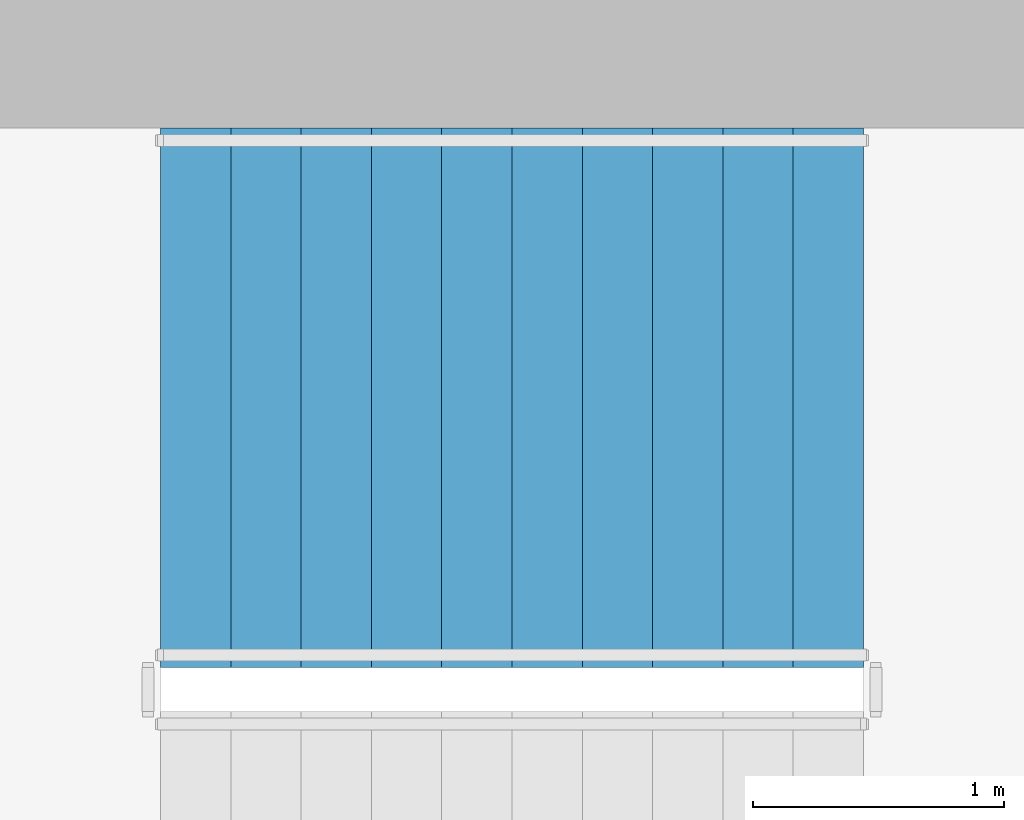
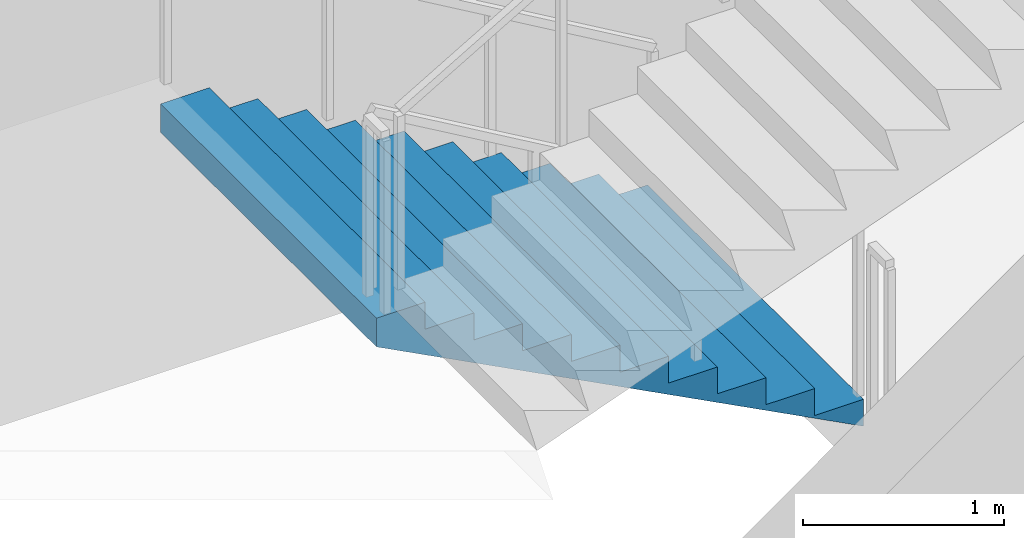
# One storey, part 11 of 19: 1 stair flight, 1 element without a shape of its own.
"""IFC4 building model written with IfcOpenShell, lengths in metres."""

from ifc_helpers import new_model, si_unit, direction, frame, origin, place, context, subcontext, project, spatial, triangles, material, type_object, element, aggregate, save


model = new_model("IFC4")

# Units and contexts
model_context = context("Model", 3, precision=1e-05, world=origin(), true_north=direction((0.0, 1.0)))
body_context = subcontext(model_context, "Body", "Model", "MODEL_VIEW")
ifc_project = project(units=[si_unit("LENGTHUNIT", "METRE"), si_unit("AREAUNIT", "SQUARE_METRE"), si_unit("VOLUMEUNIT", "CUBIC_METRE"), si_unit("PLANEANGLEUNIT", "RADIAN"), si_unit("MASSUNIT", "GRAM", prefix="KILO")], contexts=[model_context])

# Site, building, storey
site_placement = place(None, origin())
site = spatial("IfcSite", under=ifc_project, at=site_placement, CompositionType="ELEMENT")
building_placement = place(site_placement, origin())
building = spatial("IfcBuilding", under=site, at=building_placement, Name="Cypress Arch Tower", CompositionType="ELEMENT")
storey_placement = place(building_placement, frame((0.0, 0.0, 105.89990234375)))
storey = spatial("IfcBuildingStorey", under=building, at=storey_placement, Name="L21", CompositionType="ELEMENT", Elevation=105.89990234375)

# Stair, stair flight
ifc_material_1 = material(Name="Concrete C40/50", Category="concrete")
stair_type = type_object("IfcStairType", Name="Exit stair ES1636-215", PredefinedType="HALF_TURN_STAIR", material=ifc_material_1)
stair_placement = place(storey_placement, origin())
stair = element("IfcStair", 1, at=stair_placement, inside=storey, type_object=stair_type, Name="L21 Exit stair B", PredefinedType="HALF_TURN_STAIR")
ifc_material_2 = material(Name="Concrete C40/50", Category="concrete")
stair_flight_type = type_object("IfcStairFlightType", Name="Exit stair flight ES1636-215", PredefinedType="STRAIGHT", material=ifc_material_2)
stair_flight_placement = place(storey_placement, frame((-22.27490234375, 13.72509765625, 0.0), z_axis=(0.0, 0.0, 1.0), x_axis=(-1.0, 0.0, 0.0)))
stair_flight = element("IfcStairFlight", 2, at=stair_flight_placement, type_object=stair_flight_type, Name="B flight 1", NumberOfRisers=11, NumberOfTreads=10, PredefinedType="STRAIGHT", RiserHeight=0.163636364, TreadLength=0.28, context=body_context, shape_type="Tessellation", body=[
    triangles([(0.0, -1.074951171875, 0.0), (0.000244140625, -1.074951171875, 0.03271484375), (0.00048828125, -1.074951171875, 0.0654296875), (0.00048828125, -1.074951171875, 0.09814453125), (0.000244140625, -1.074951171875, 0.130859375), (0.0, -1.074951171875, 0.16357421875), (0.280029296875, -1.074951171875, 0.16357421875), (0.280029296875, -1.074951171875, 0.327392578125), (0.56005859375, -1.074951171875, 0.327392578125), (0.56005859375, -1.074951171875, 0.490966796875), (0.840087890625, -1.074951171875, 0.490966796875), (0.840087890625, -1.074951171875, 0.654541015625), (1.1201171875, -1.074951171875, 0.654541015625), (1.1201171875, -1.074951171875, 0.818115234375), (1.39990234375, -1.074951171875, 0.818115234375), (1.39990234375, -1.074951171875, 0.98193359375), (1.679931640625, -1.074951171875, 0.98193359375), (1.679931640625, -1.074951171875, 1.1455078125), (1.9599609375, -1.074951171875, 1.1455078125), (1.9599609375, -1.074951171875, 1.30908203125), (2.239990234375, -1.074951171875, 1.30908203125), (2.239990234375, -1.074951171875, 1.47265625), (2.52001953125, -1.074951171875, 1.47265625), (2.52001953125, -1.074951171875, 1.636474609375), (2.800048828125, -1.074951171875, 1.636474609375), (2.7998046875, -1.074951171875, 1.601806640625), (2.799560546875, -1.074951171875, 1.56689453125), (2.799560546875, -1.074951171875, 1.5322265625), (2.7998046875, -1.074951171875, 1.497314453125), (2.800048828125, -1.074951171875, 1.462646484375), (2.800048828125, 1.074951171875, 1.462646484375), (2.7998046875, 1.074951171875, 1.497314453125), (2.799560546875, 1.074951171875, 1.5322265625), (2.799560546875, 1.074951171875, 1.56689453125), (2.7998046875, 1.074951171875, 1.601806640625), (2.800048828125, 1.074951171875, 1.636474609375), (2.52001953125, 1.074951171875, 1.636474609375), (2.52001953125, 1.074951171875, 1.47265625), (2.239990234375, 1.074951171875, 1.47265625), (2.239990234375, 1.074951171875, 1.30908203125), (1.9599609375, 1.074951171875, 1.30908203125), (1.9599609375, 1.074951171875, 1.1455078125), (1.679931640625, 1.074951171875, 1.1455078125), (1.679931640625, 1.074951171875, 0.98193359375), (1.39990234375, 1.074951171875, 0.98193359375), (1.39990234375, 1.074951171875, 0.818115234375), (1.1201171875, 1.074951171875, 0.818115234375), (1.1201171875, 1.074951171875, 0.654541015625), (0.840087890625, 1.074951171875, 0.654541015625), (0.840087890625, 1.074951171875, 0.490966796875), (0.56005859375, 1.074951171875, 0.490966796875), (0.56005859375, 1.074951171875, 0.327392578125), (0.280029296875, 1.074951171875, 0.327392578125), (0.280029296875, 1.074951171875, 0.16357421875), (0.0, 1.074951171875, 0.16357421875), (0.000244140625, 1.074951171875, 0.130859375), (0.00048828125, 1.074951171875, 0.09814453125), (0.00048828125, 1.074951171875, 0.0654296875), (0.000244140625, 1.074951171875, 0.03271484375), (0.0, 1.074951171875, 0.0), (2.7998046875, 0.0, 1.497314453125), (2.800048828125, 0.0, 1.462646484375), (2.799560546875, 0.0, 1.5322265625), (2.799560546875, 0.0, 1.56689453125), (2.7998046875, 0.0, 1.601806640625), (2.800048828125, 0.0, 1.636474609375), (2.52001953125, 0.0, 1.636474609375), (2.52001953125, 0.0, 1.47265625), (2.239990234375, 0.0, 1.47265625), (2.239990234375, 0.0, 1.30908203125), (1.9599609375, 0.0, 1.30908203125), (1.9599609375, 0.0, 1.1455078125), (1.679931640625, 0.0, 1.1455078125), (1.679931640625, 0.0, 0.98193359375), (1.39990234375, 0.0, 0.98193359375), (1.39990234375, 0.0, 0.818115234375), (1.1201171875, 0.0, 0.818115234375), (1.1201171875, 0.0, 0.654541015625), (0.840087890625, 0.0, 0.654541015625), (0.840087890625, 0.0, 0.490966796875), (0.56005859375, 0.0, 0.490966796875), (0.56005859375, 0.0, 0.327392578125), (0.280029296875, 0.0, 0.327392578125), (0.280029296875, 0.0, 0.16357421875), (0.0, 0.0, 0.16357421875), (0.000244140625, 0.0, 0.130859375), (0.00048828125, 0.0, 0.09814453125), (0.00048828125, 0.0, 0.0654296875), (0.000244140625, 0.0, 0.03271484375), (0.0, 0.0, 0.0)], [[30, 29, 24], [29, 28, 24], [28, 27, 24], [27, 26, 24], [26, 25, 24], [17, 16, 15], [9, 8, 7], [15, 14, 13], [23, 22, 21], [21, 20, 19], [19, 18, 17], [13, 12, 11], [11, 10, 9], [6, 5, 7], [5, 4, 7], [4, 3, 7], [3, 2, 7], [2, 1, 7], [30, 24, 23], [30, 23, 21], [30, 21, 19], [30, 19, 17], [30, 17, 15], [30, 15, 13], [30, 13, 11], [30, 11, 9], [30, 9, 7], [30, 7, 1], [31, 37, 32], [32, 37, 33], [33, 37, 34], [34, 37, 35], [35, 37, 36], [44, 46, 45], [52, 54, 53], [46, 48, 47], [38, 40, 39], [40, 42, 41], [42, 44, 43], [48, 50, 49], [50, 52, 51], [55, 54, 56], [56, 54, 57], [57, 54, 58], [58, 54, 59], [59, 54, 60], [31, 38, 37], [31, 40, 38], [31, 42, 40], [31, 44, 42], [31, 46, 44], [31, 48, 46], [31, 50, 48], [31, 52, 50], [31, 54, 52], [31, 60, 54], [62, 61, 29], [62, 29, 30], [31, 32, 61], [31, 61, 62], [61, 63, 28], [61, 28, 29], [32, 33, 63], [32, 63, 61], [63, 64, 27], [63, 27, 28], [33, 34, 64], [33, 64, 63], [64, 65, 26], [64, 26, 27], [34, 35, 65], [34, 65, 64], [65, 66, 25], [65, 25, 26], [35, 36, 66], [35, 66, 65], [66, 67, 24], [66, 24, 25], [36, 37, 67], [36, 67, 66], [67, 68, 23], [67, 23, 24], [37, 38, 68], [37, 68, 67], [68, 69, 22], [68, 22, 23], [38, 39, 69], [38, 69, 68], [69, 70, 21], [69, 21, 22], [39, 40, 70], [39, 70, 69], [70, 71, 20], [70, 20, 21], [40, 41, 71], [40, 71, 70], [71, 72, 19], [71, 19, 20], [41, 42, 72], [41, 72, 71], [72, 73, 18], [72, 18, 19], [42, 43, 73], [42, 73, 72], [73, 74, 17], [73, 17, 18], [43, 44, 74], [43, 74, 73], [74, 75, 16], [74, 16, 17], [44, 45, 75], [44, 75, 74], [75, 76, 15], [75, 15, 16], [45, 46, 76], [45, 76, 75], [76, 77, 14], [76, 14, 15], [46, 47, 77], [46, 77, 76], [77, 78, 13], [77, 13, 14], [47, 48, 78], [47, 78, 77], [78, 79, 12], [78, 12, 13], [48, 49, 79], [48, 79, 78], [79, 80, 11], [79, 11, 12], [49, 50, 80], [49, 80, 79], [80, 81, 10], [80, 10, 11], [50, 51, 81], [50, 81, 80], [81, 82, 9], [81, 9, 10], [51, 52, 82], [51, 82, 81], [82, 83, 8], [82, 8, 9], [52, 53, 83], [52, 83, 82], [83, 84, 7], [83, 7, 8], [53, 54, 84], [53, 84, 83], [84, 85, 6], [84, 6, 7], [54, 55, 85], [54, 85, 84], [85, 86, 5], [85, 5, 6], [55, 56, 86], [55, 86, 85], [86, 87, 4], [86, 4, 5], [56, 57, 87], [56, 87, 86], [87, 88, 3], [87, 3, 4], [57, 58, 88], [57, 88, 87], [88, 89, 2], [88, 2, 3], [58, 59, 89], [58, 89, 88], [89, 90, 1], [89, 1, 2], [59, 60, 90], [59, 90, 89], [90, 62, 30], [90, 30, 1], [60, 31, 62], [60, 62, 90]], closed=True),
])
aggregate(stair, [stair_flight])

save(model, "model.ifc")
